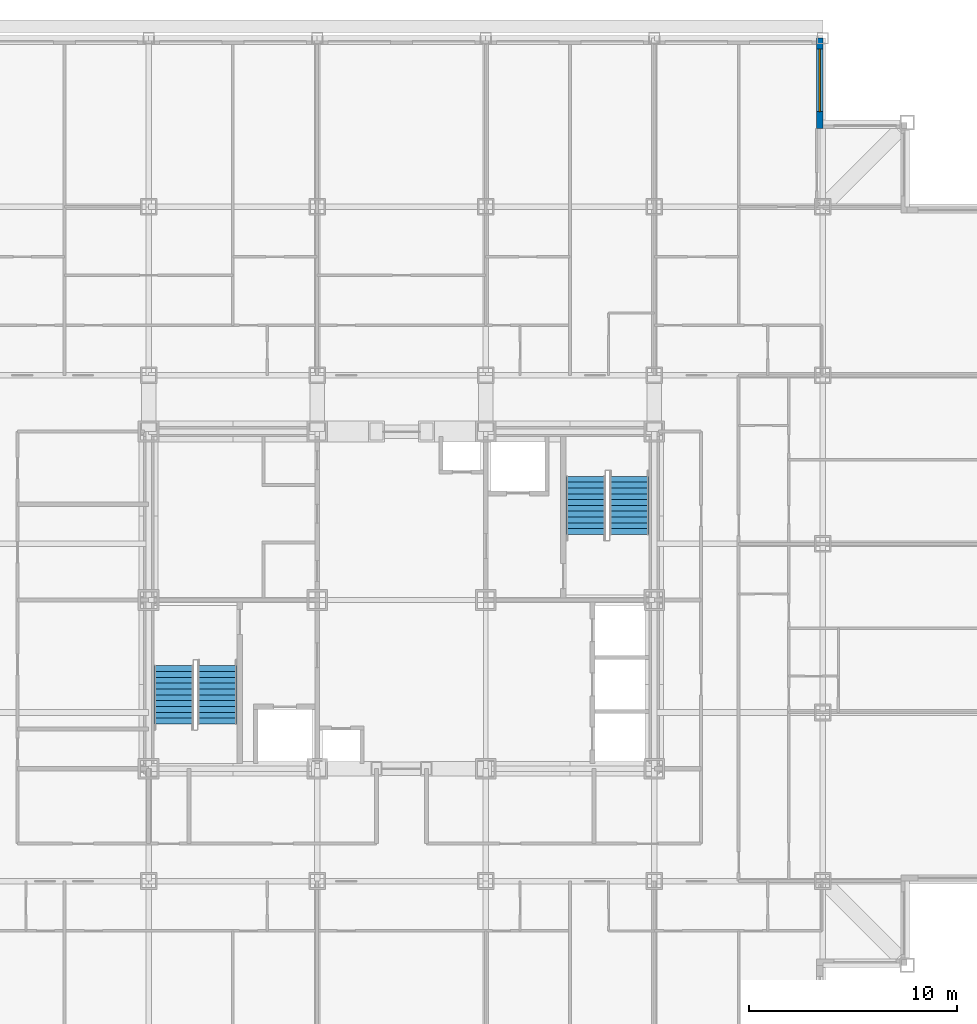
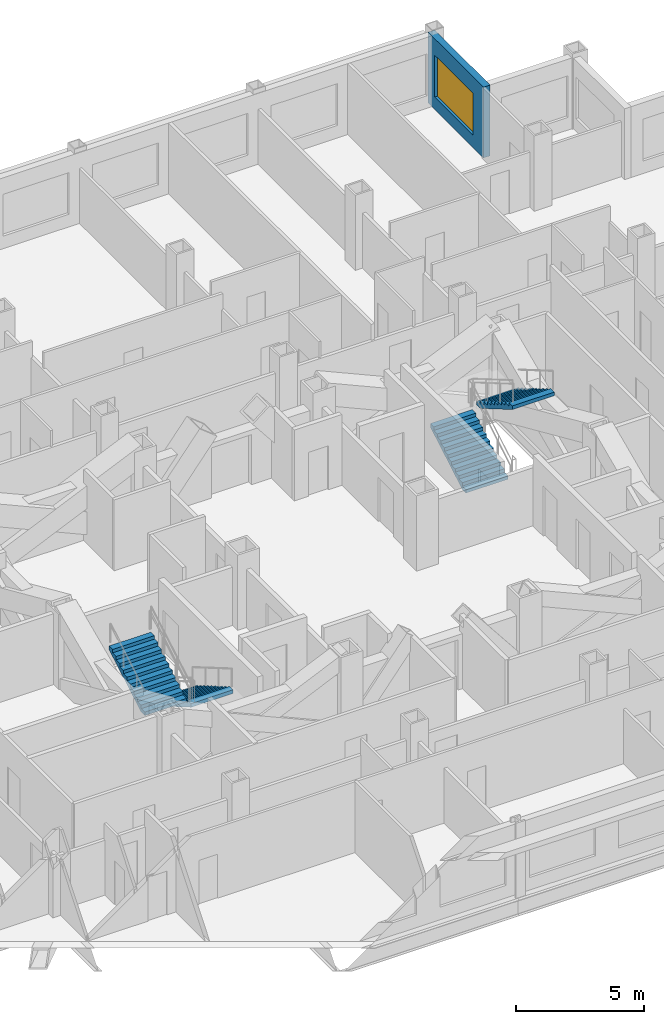
# One storey, part 11 of 12: 4 stair flights, 1 wall, 1 window, 1 opening, 2 elements without a shape of their own.
"""IFC4 building model written with IfcOpenShell, lengths in metres."""

from ifc_helpers import new_model, si_unit, direction, frame, frame_2d, origin, place, context, subcontext, project, spatial, rectangle, extrude, polygons, source, transform, mapped, material, layer, layer_set, type_object, element, fill, aggregate, save


model = new_model("IFC4")

# Units and contexts
model_context = context("Model", 3, precision=1e-05, world=origin(), true_north=direction((0.0, 1.0)))
body_context = subcontext(model_context, "Body", "Model", "MODEL_VIEW")
ifc_project = project(units=[si_unit("LENGTHUNIT", "METRE"), si_unit("AREAUNIT", "SQUARE_METRE"), si_unit("VOLUMEUNIT", "CUBIC_METRE"), si_unit("PLANEANGLEUNIT", "RADIAN"), si_unit("MASSUNIT", "GRAM", prefix="KILO")], contexts=[model_context])

# Site, building, storey
site_placement = place(None, origin())
site = spatial("IfcSite", under=ifc_project, at=site_placement, CompositionType="ELEMENT")
building_placement = place(site_placement, origin())
building = spatial("IfcBuilding", under=site, at=building_placement, Name="Kopane Lantern Tower", CompositionType="ELEMENT")
storey_placement = place(building_placement, frame((0.0, 0.0, 228.0)))
storey = spatial("IfcBuildingStorey", under=building, at=storey_placement, Name="L59", CompositionType="ELEMENT", Elevation=228.0)

# Wall, opening, window
ifc_material_1 = material(Name="Terracotta rainscreen on light steel framing", Category="masonry")
ifc_layer = layer(ifc_material_1, 0.300048828125)
ifc_layer_set = layer_set([ifc_layer], Name="EXTERNAL WALL EW1 300 TERRACOTTA")
wall_type = type_object("IfcWallType", Name="EXTERNAL WALL EW1 300 TERRACOTTA", PredefinedType="SOLIDWALL", material=ifc_layer_set)
wall_placement = place(storey_placement, frame((48.449951171875, 55.050048828125, 0.0), z_axis=(0.0, 0.0, 1.0), x_axis=(0.0, 1.0, 0.0)))
wall = element("IfcWall", 1, at=wall_placement, inside=storey, type_object=wall_type, Name="External wall E L59", PredefinedType="SOLIDWALL", context=body_context, shape_type="SweptSolid", body=[
    extrude(rectangle(XDim=4.349853515625, YDim=0.300048828125, at=frame_2d((2.1748046875, 0.0))), origin(), (0.0, 0.0, 1.0), 3.389892578125),
])
opening_placement = place(wall_placement, frame((0.824951171875, 0.0, 0.60009765625)))
opening = element("IfcOpeningElement", 2, at=opening_placement, cuts=wall, Name="Opening WR300200", PredefinedType="OPENING", context=body_context, shape_type="SweptSolid", body=[
    extrude(rectangle(XDim=3.0, YDim=2.0, at=frame_2d((1.5, 1.0))), frame((0.0, 0.159912109375, 0.0), z_axis=(0.0, -1.0, 0.0), x_axis=(1.0, 0.0, 0.0)), (0.0, 0.0, 1.0), 0.320068359375),
])
ifc_material_2 = material(Name="Aluminium and clear glass", Category="aluminium")
window_type = type_object("IfcWindowType", Name="RIBBON WINDOW WR300200 3000x2000", PartitioningType="SINGLE_PANEL", PredefinedType="WINDOW", material=ifc_material_2)
window_placement = place(opening_placement, origin())
window = element("IfcWindow", 3, at=window_placement, inside=storey, type_object=window_type, Name="Window E L59", OverallHeight=2.0, OverallWidth=3.0, PartitioningType="SINGLE_PANEL", PredefinedType="WINDOW", context=body_context, shape_type="SweptSolid", body=[
    extrude(rectangle(XDim=3.0, YDim=2.0, at=frame_2d((1.5, 1.0))), frame((0.0, 0.030029296875, 0.0), z_axis=(0.0, -1.0, 0.0), x_axis=(1.0, 0.0, 0.0)), (0.0, 0.0, 1.0), 0.06005859375),
])
fill(opening, window)

# Stair, stair flights
ifc_material_3 = material(Name="Steel S355JR", Category="steel")
stair_type = type_object("IfcStairType", Name="EXIT STAIR 1900 HALF TURN", PredefinedType="HALF_TURN_STAIR", material=ifc_material_3)
stair_1_placement = place(storey_placement, origin())
stair_1 = element("IfcStair", 4, at=stair_1_placement, inside=storey, type_object=stair_type, Name="Exit stair ST1 L59", PredefinedType="HALF_TURN_STAIR")
ifc_material_4 = material(Name="Steel S355JR", Category="steel")
stair_flight_type = type_object("IfcStairFlightType", Name="STAIR FLIGHT 1900 STEEL", PredefinedType="STRAIGHT", material=ifc_material_4)
shared_shape = source(origin(), body_context, "Body", "Tessellation", [
    polygons([(2.800048828, 0.949951172, 1.636474609), (2.520019531, 0.949951172, 1.636474609), (2.520019531, -0.949951172, 1.636474609), (2.800048828, -0.949951172, 1.636474609), (0.297119141, 0.949951172, 0.0), (2.800048828, 0.949951172, 1.462646484), (2.800048828, -0.949951172, 1.462646484), (0.297119141, -0.949951172, 0.0), (0.0, 0.949951172, 0.0), (0.0, -0.949951172, 0.0), (0.280029297, 0.949951172, 0.163574219), (0.0, 0.949951172, 0.163574219), (0.0, -0.949951172, 0.163574219), (0.280029297, -0.949951172, 0.163574219), (0.280029297, 0.949951172, 0.327392578), (0.280029297, -0.949951172, 0.327392578), (0.560058594, 0.949951172, 0.327392578), (0.560058594, -0.949951172, 0.327392578), (0.560058594, 0.949951172, 0.490966797), (0.560058594, -0.949951172, 0.490966797), (0.840087891, 0.949951172, 0.490966797), (0.840087891, -0.949951172, 0.490966797), (0.840087891, 0.949951172, 0.654541016), (0.840087891, -0.949951172, 0.654541016), (1.120117188, 0.949951172, 0.654541016), (1.120117188, -0.949951172, 0.654541016), (1.120117188, 0.949951172, 0.818115234), (1.120117188, -0.949951172, 0.818115234), (1.399902344, 0.949951172, 0.818115234), (1.399902344, -0.949951172, 0.818115234), (1.399902344, 0.949951172, 0.981933594), (1.399902344, -0.949951172, 0.981933594), (1.679931641, 0.949951172, 0.981933594), (1.679931641, -0.949951172, 0.981933594), (1.679931641, 0.949951172, 1.145507812), (1.679931641, -0.949951172, 1.145507812), (1.959960938, 0.949951172, 1.145507812), (1.959960938, -0.949951172, 1.145507812), (1.959960938, 0.949951172, 1.309082031), (1.959960938, -0.949951172, 1.309082031), (2.239990234, 0.949951172, 1.309082031), (2.239990234, -0.949951172, 1.309082031), (2.239990234, 0.949951172, 1.47265625), (2.239990234, -0.949951172, 1.47265625), (2.520019531, 0.949951172, 1.47265625), (2.520019531, -0.949951172, 1.47265625), (0.0, 0.0, 0.004420925), (0.0, 0.0, 0.00884185), (0.0, 0.0, 0.013262774), (0.0, 0.0, 0.017683699), (0.0, 0.0, 0.022104624), (0.0, 0.0, 0.026525549), (0.0, 0.0, 0.030946474), (0.0, 0.0, 0.035367399), (0.0, 0.0, 0.039788323), (0.0, 0.0, 0.044209248), (0.0, 0.0, 0.048630173), (0.0, 0.0, 0.053051098), (0.0, 0.0, 0.057472023), (0.0, 0.0, 0.061892948), (0.0, 0.0, 0.066313872), (0.0, 0.0, 0.070734797), (0.0, 0.0, 0.075155722), (0.0, 0.0, 0.079576647), (0.0, 0.0, 0.083997572), (0.0, 0.0, 0.088418497), (0.0, 0.0, 0.092839421), (0.0, 0.0, 0.097260346), (0.0, 0.0, 0.101681271), (0.0, 0.0, 0.106102196), (0.0, 0.0, 0.110523121), (0.0, 0.0, 0.114944046), (0.0, 0.0, 0.11936497), (0.0, 0.0, 0.123785895), (0.0, 0.0, 0.12820682), (0.0, 0.0, 0.132627745), (0.0, 0.0, 0.13704867), (0.0, 0.0, 0.141469595), (0.0, 0.0, 0.145890519), (0.0, 0.0, 0.150311444), (0.0, 0.0, 0.154732369), (0.0, 0.0, 0.159153294), (2.800048828, 0.0, 1.467344542), (2.800048828, 0.0, 1.472042599), (2.800048828, 0.0, 1.476740657), (2.800048828, 0.0, 1.481438714), (2.800048828, 0.0, 1.486136772), (2.800048828, 0.0, 1.490834829), (2.800048828, 0.0, 1.495532886), (2.800048828, 0.0, 1.500230944), (2.800048828, 0.0, 1.504929001), (2.800048828, 0.0, 1.509627059), (2.800048828, 0.0, 1.514325116), (2.800048828, 0.0, 1.519023174), (2.800048828, 0.0, 1.523721231), (2.800048828, 0.0, 1.528419288), (2.800048828, 0.0, 1.533117346), (2.800048828, 0.0, 1.537815403), (2.800048828, 0.0, 1.542513461), (2.800048828, 0.0, 1.547211518), (2.800048828, 0.0, 1.551909576), (2.800048828, 0.0, 1.556607633), (2.800048828, 0.0, 1.56130569), (2.800048828, 0.0, 1.566003748), (2.800048828, 0.0, 1.570701805), (2.800048828, 0.0, 1.575399863), (2.800048828, 0.0, 1.58009792), (2.800048828, 0.0, 1.584795978), (2.800048828, 0.0, 1.589494035), (2.800048828, 0.0, 1.594192092), (2.800048828, 0.0, 1.59889015), (2.800048828, 0.0, 1.603588207), (2.800048828, 0.0, 1.608286265), (2.800048828, 0.0, 1.612984322), (2.800048828, 0.0, 1.61768238), (2.800048828, 0.0, 1.622380437), (2.800048828, 0.0, 1.627078495), (2.800048828, 0.0, 1.631776552)], [[[1, 2, 3]], [[1, 3, 4]], [[5, 6, 7]], [[5, 7, 8]], [[9, 5, 8]], [[9, 8, 10]], [[11, 12, 13]], [[11, 13, 14]], [[15, 11, 14]], [[15, 14, 16]], [[17, 15, 16]], [[17, 16, 18]], [[19, 17, 18]], [[19, 18, 20]], [[21, 19, 20]], [[21, 20, 22]], [[23, 21, 22]], [[23, 22, 24]], [[25, 23, 24]], [[25, 24, 26]], [[27, 25, 26]], [[27, 26, 28]], [[29, 27, 28]], [[29, 28, 30]], [[31, 29, 30]], [[31, 30, 32]], [[33, 31, 32]], [[33, 32, 34]], [[35, 33, 34]], [[35, 34, 36]], [[37, 35, 36]], [[37, 36, 38]], [[39, 37, 38]], [[39, 38, 40]], [[41, 39, 40]], [[41, 40, 42]], [[43, 41, 42]], [[43, 42, 44]], [[45, 43, 44]], [[45, 44, 46]], [[2, 45, 46]], [[2, 46, 3]], [[45, 1, 6]], [[41, 45, 6]], [[2, 1, 45]], [[37, 41, 6]], [[43, 45, 41]], [[39, 41, 37]], [[35, 37, 33]], [[31, 33, 29]], [[27, 29, 25]], [[5, 21, 25]], [[17, 21, 5]], [[23, 25, 21]], [[11, 17, 5]], [[19, 21, 17]], [[9, 11, 5]], [[15, 17, 11]], [[12, 11, 9]], [[6, 5, 25]], [[6, 25, 29]], [[6, 29, 33]], [[6, 33, 37]], [[7, 4, 46]], [[7, 46, 42]], [[46, 4, 3]], [[7, 42, 38]], [[42, 46, 44]], [[38, 42, 40]], [[34, 38, 36]], [[30, 34, 32]], [[26, 30, 28]], [[26, 22, 8]], [[8, 22, 18]], [[22, 26, 24]], [[8, 18, 14]], [[18, 22, 20]], [[8, 14, 10]], [[14, 18, 16]], [[10, 14, 13]], [[26, 8, 7]], [[30, 26, 7]], [[34, 30, 7]], [[38, 34, 7]], [[10, 47, 9]], [[10, 48, 47]], [[9, 47, 48]], [[10, 49, 48]], [[9, 48, 49]], [[10, 50, 49]], [[9, 49, 50]], [[10, 51, 50]], [[9, 50, 51]], [[10, 52, 51]], [[9, 51, 52]], [[10, 53, 52]], [[9, 52, 53]], [[10, 54, 53]], [[9, 53, 54]], [[10, 55, 54]], [[9, 54, 55]], [[10, 56, 55]], [[9, 55, 56]], [[10, 57, 56]], [[9, 56, 57]], [[10, 58, 57]], [[9, 57, 58]], [[10, 59, 58]], [[9, 58, 59]], [[10, 60, 59]], [[9, 59, 60]], [[10, 61, 60]], [[9, 60, 61]], [[10, 62, 61]], [[9, 61, 62]], [[10, 63, 62]], [[9, 62, 63]], [[10, 64, 63]], [[9, 63, 64]], [[10, 65, 64]], [[9, 64, 65]], [[10, 66, 65]], [[9, 65, 66]], [[10, 67, 66]], [[9, 66, 67]], [[10, 68, 67]], [[9, 67, 68]], [[10, 69, 68]], [[9, 68, 69]], [[10, 70, 69]], [[9, 69, 70]], [[10, 71, 70]], [[9, 70, 71]], [[10, 72, 71]], [[9, 71, 72]], [[10, 73, 72]], [[9, 72, 73]], [[10, 74, 73]], [[9, 73, 74]], [[10, 75, 74]], [[9, 74, 75]], [[10, 76, 75]], [[9, 75, 76]], [[10, 77, 76]], [[9, 76, 77]], [[10, 78, 77]], [[9, 77, 78]], [[10, 79, 78]], [[9, 78, 79]], [[10, 80, 79]], [[9, 79, 80]], [[10, 81, 80]], [[9, 80, 81]], [[10, 82, 81]], [[9, 81, 82]], [[10, 13, 82]], [[82, 13, 12]], [[9, 82, 12]], [[7, 6, 83]], [[7, 83, 84]], [[6, 84, 83]], [[7, 84, 85]], [[6, 85, 84]], [[7, 85, 86]], [[6, 86, 85]], [[7, 86, 87]], [[6, 87, 86]], [[7, 87, 88]], [[6, 88, 87]], [[7, 88, 89]], [[6, 89, 88]], [[7, 89, 90]], [[6, 90, 89]], [[7, 90, 91]], [[6, 91, 90]], [[7, 91, 92]], [[6, 92, 91]], [[7, 92, 93]], [[6, 93, 92]], [[7, 93, 94]], [[6, 94, 93]], [[7, 94, 95]], [[6, 95, 94]], [[7, 95, 96]], [[6, 96, 95]], [[7, 96, 97]], [[6, 97, 96]], [[7, 97, 98]], [[6, 98, 97]], [[7, 98, 99]], [[6, 99, 98]], [[7, 99, 100]], [[6, 100, 99]], [[7, 100, 101]], [[6, 101, 100]], [[7, 101, 102]], [[6, 102, 101]], [[7, 102, 103]], [[6, 103, 102]], [[7, 103, 104]], [[6, 104, 103]], [[7, 104, 105]], [[6, 105, 104]], [[7, 105, 106]], [[6, 106, 105]], [[7, 106, 107]], [[6, 107, 106]], [[7, 107, 108]], [[6, 108, 107]], [[7, 108, 109]], [[6, 109, 108]], [[7, 109, 110]], [[6, 110, 109]], [[7, 110, 111]], [[6, 111, 110]], [[7, 111, 112]], [[6, 112, 111]], [[7, 112, 113]], [[6, 113, 112]], [[7, 113, 114]], [[6, 114, 113]], [[7, 114, 115]], [[6, 115, 114]], [[7, 115, 116]], [[6, 116, 115]], [[7, 116, 117]], [[6, 117, 116]], [[7, 117, 118]], [[6, 118, 117]], [[7, 118, 4]], [[118, 1, 4]], [[6, 1, 118]]], closed=True),
])
stair_flight_1_placement = place(storey_placement, frame((19.5, 29.25, 0.0), z_axis=(0.0, 0.0, 1.0), x_axis=(0.0, -1.0, 0.0)))
stair_flight_1 = element("IfcStairFlight", 5, at=stair_flight_1_placement, type_object=stair_flight_type, Name="ST1 flight 1", NumberOfRisers=11, NumberOfTreads=10, PredefinedType="STRAIGHT", RiserHeight=0.163636364, TreadLength=0.28, context=body_context, shape_type="MappedRepresentation", body=[
    mapped(shared_shape, transform((0.0, 0.0, 0.0))),
])
stair_flight_2_placement = place(storey_placement, frame((17.39990234375, 26.449951171875, 1.800048828125), z_axis=(0.0, 0.0, 1.0), x_axis=(0.0, 1.0, 0.0)))
stair_flight_2 = element("IfcStairFlight", 6, at=stair_flight_2_placement, type_object=stair_flight_type, Name="ST1 flight 2", NumberOfRisers=11, NumberOfTreads=10, PredefinedType="STRAIGHT", RiserHeight=0.163636364, TreadLength=0.28, context=body_context, shape_type="MappedRepresentation", body=[
    mapped(shared_shape, transform((0.0, 0.0, 0.0))),
])
aggregate(stair_1, [stair_flight_1, stair_flight_2])

stair_2_placement = place(storey_placement, origin())
stair_2 = element("IfcStair", 7, at=stair_2_placement, inside=storey, type_object=stair_type, Name="Exit stair ST2 L59", PredefinedType="HALF_TURN_STAIR")
stair_flight_3_placement = place(storey_placement, frame((37.199951171875, 35.550048828125, 0.0), z_axis=(0.0, 0.0, 1.0), x_axis=(0.0, 1.0, 0.0)))
stair_flight_3 = element("IfcStairFlight", 8, at=stair_flight_3_placement, type_object=stair_flight_type, Name="ST2 flight 1", NumberOfRisers=11, NumberOfTreads=10, PredefinedType="STRAIGHT", RiserHeight=0.163636364, TreadLength=0.28, context=body_context, shape_type="MappedRepresentation", body=[
    mapped(shared_shape, transform((0.0, 0.0, 0.0))),
])
stair_flight_4_placement = place(storey_placement, frame((39.300048828125, 38.35009765625, 1.800048828125), z_axis=(0.0, 0.0, 1.0), x_axis=(0.0, -1.0, 0.0)))
stair_flight_4 = element("IfcStairFlight", 9, at=stair_flight_4_placement, type_object=stair_flight_type, Name="ST2 flight 2", NumberOfRisers=11, NumberOfTreads=10, PredefinedType="STRAIGHT", RiserHeight=0.163636364, TreadLength=0.28, context=body_context, shape_type="MappedRepresentation", body=[
    mapped(shared_shape, transform((0.0, 0.0, 0.0))),
])
aggregate(stair_2, [stair_flight_3, stair_flight_4])

save(model, "model.ifc")
